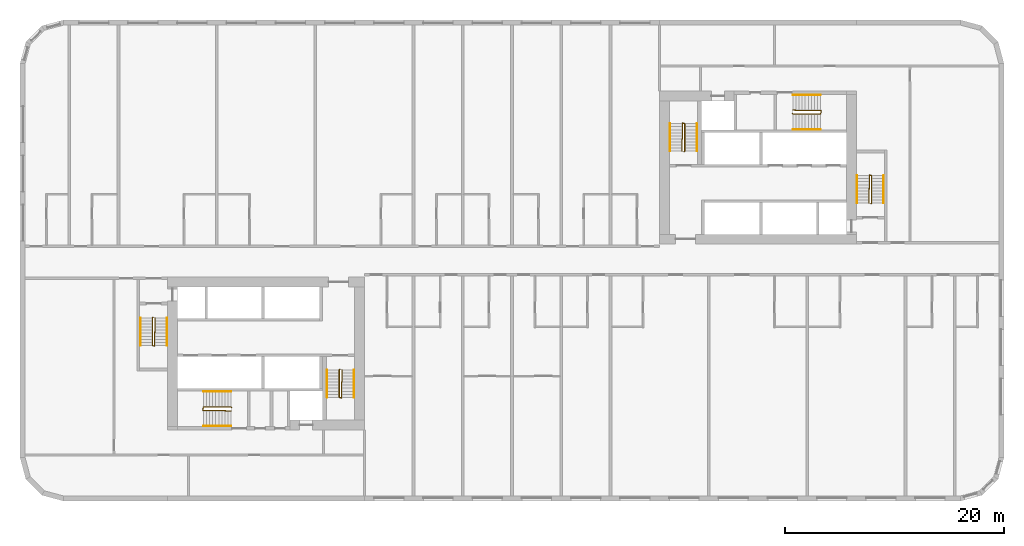
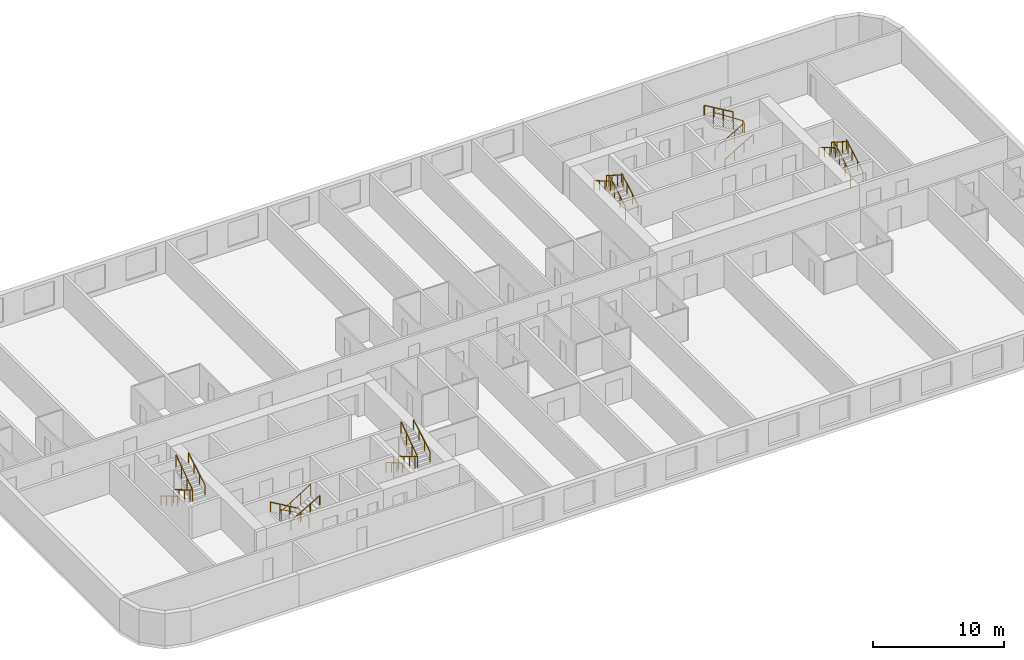
# One storey, part 12 of 12: 18 railings.
"""IFC4 building model written with IfcOpenShell, lengths in metres."""

from ifc_helpers import new_model, si_unit, direction, frame, origin, origin_2d, place, context, subcontext, project, spatial, circle, extrude, material, type_object, element, save


model = new_model("IFC4")

# Units and contexts
model_context = context("Model", 3, precision=1e-05, world=origin(), true_north=direction((0.0, 1.0)))
body_context = subcontext(model_context, "Body", "Model", "MODEL_VIEW")
ifc_project = project(units=[si_unit("LENGTHUNIT", "METRE"), si_unit("AREAUNIT", "SQUARE_METRE"), si_unit("VOLUMEUNIT", "CUBIC_METRE"), si_unit("PLANEANGLEUNIT", "RADIAN"), si_unit("MASSUNIT", "GRAM", prefix="KILO")], contexts=[model_context])

# Site, building, storey
site_placement = place(None, origin())
site = spatial("IfcSite", under=ifc_project, at=site_placement, CompositionType="ELEMENT")
building_placement = place(site_placement, origin())
building = spatial("IfcBuilding", under=site, at=building_placement, Name="Kajstack Hotel Tower", CompositionType="ELEMENT")
storey_placement = place(building_placement, frame((0.0, 0.0, 96.300048828125)))
storey = spatial("IfcBuildingStorey", under=building, at=storey_placement, Name="L20", CompositionType="ELEMENT", Elevation=96.300048828125)

# Railings
ifc_material = material(Name="Steel S355J2", Category="steel")
railing_type_1 = type_object("IfcRailingType", Name="Stair guard 1100", PredefinedType="GUARDRAIL", material=ifc_material)
railing_1_placement = place(storey_placement, frame((-32.85009765625, -5.199951171875, 0.0)))
element("IfcRailing", 1, at=railing_1_placement, inside=storey, type_object=railing_type_1, Name="L20 W1 stair guard 1", PredefinedType="GUARDRAIL", context=body_context, shape_type="SweptSolid", body=[
    extrude(circle(Radius=0.02392578125, at=origin_2d()), frame((0.0, 0.0, 1.076171875), z_axis=(-0.277450376394, -0.278810427259, 0.919394384522), x_axis=(0.708833529934, -0.705375805398, 0.0)), (0.0, 0.0, 1.0), 0.179443359375),
    extrude(circle(Radius=0.02392578125, at=origin_2d()), frame((-0.0498046875, -0.050048828125, 1.2412109375), z_axis=(0.0, -0.861560626758, 0.507654692109), x_axis=(1.0, 0.0, 0.0)), (0.0, 0.0, 1.0), 2.925048828125),
    extrude(circle(Radius=0.02392578125, at=origin_2d()), frame((-0.0498046875, -2.570068359375, 2.72607421875), z_axis=(0.970072785993, -0.242814311512, 0.0), x_axis=(0.242814311512, 0.970072785993, 0.0)), (0.0, 0.0, 1.0), 0.2060546875),
    extrude(circle(Radius=0.02392578125, at=origin_2d()), frame((0.150146484375, -2.6201171875, 2.72607421875), z_axis=(0.016384601254, 0.84136925563, 0.540212292087), x_axis=(-0.999810440751, 0.019470042781, 0.0)), (0.0, 0.0, 1.0), 3.0546875),
    extrude(circle(Radius=0.02099609375, at=origin_2d()), origin(), (0.0, 0.0, 1.0), 1.052001953125),
    extrude(circle(Radius=0.02099609375, at=origin_2d()), frame((-0.0498046875, -0.050048828125, 0.1650390625)), (0.0, 0.0, 1.0), 1.052001953125),
    extrude(circle(Radius=0.02099609375, at=origin_2d()), frame((-0.0498046875, -0.89013671875, 0.659912109375)), (0.0, 0.0, 1.0), 1.052001953125),
    extrude(circle(Radius=0.02099609375, at=origin_2d()), frame((-0.0498046875, -1.72998046875, 1.155029296875)), (0.0, 0.0, 1.0), 1.052001953125),
    extrude(circle(Radius=0.02099609375, at=origin_2d()), frame((-0.0498046875, -2.570068359375, 1.64990234375)), (0.0, 0.0, 1.0), 1.052001953125),
    extrude(circle(Radius=0.02099609375, at=origin_2d()), frame((0.150146484375, -2.6201171875, 1.64990234375)), (0.0, 0.0, 1.0), 1.052001953125),
    extrude(circle(Radius=0.02099609375, at=origin_2d()), frame((0.166748046875, -1.763427734375, 2.199951171875)), (0.0, 0.0, 1.0), 1.052001953125),
    extrude(circle(Radius=0.02099609375, at=origin_2d()), frame((0.18359375, -0.90673828125, 2.75)), (0.0, 0.0, 1.0), 1.052001953125),
    extrude(circle(Radius=0.02099609375, at=origin_2d()), frame((0.2001953125, -0.050048828125, 3.300048828125)), (0.0, 0.0, 1.0), 1.052001953125),
])
railing_2_placement = place(storey_placement, frame((-15.75, -9.949951171875, 0.0)))
element("IfcRailing", 2, at=railing_2_placement, inside=storey, type_object=railing_type_1, Name="L20 W2 stair guard 1", PredefinedType="GUARDRAIL", context=body_context, shape_type="SweptSolid", body=[
    extrude(circle(Radius=0.02392578125, at=origin_2d()), frame((0.0, 0.0, 1.076171875), z_axis=(-0.278705021027, -0.278705021027, 0.919046801044), x_axis=(0.707106781187, -0.707106781187, 0.0)), (0.0, 0.0, 1.0), 0.1796875),
    extrude(circle(Radius=0.02392578125, at=origin_2d()), frame((-0.050048828125, -0.050048828125, 1.2412109375), z_axis=(0.0, -0.861560626758, 0.507654692109), x_axis=(1.0, 0.0, 0.0)), (0.0, 0.0, 1.0), 2.925048828125),
    extrude(circle(Radius=0.02392578125, at=origin_2d()), frame((-0.050048828125, -2.570068359375, 2.72607421875), z_axis=(0.970072785993, -0.242814311512, 0.0), x_axis=(0.242814311512, 0.970072785993, 0.0)), (0.0, 0.0, 1.0), 0.2060546875),
    extrude(circle(Radius=0.02392578125, at=origin_2d()), frame((0.14990234375, -2.6201171875, 2.72607421875), z_axis=(0.016384601254, 0.84136925563, 0.540212292087), x_axis=(-0.999810440751, 0.019470042781, 0.0)), (0.0, 0.0, 1.0), 3.0546875),
    extrude(circle(Radius=0.02099609375, at=origin_2d()), origin(), (0.0, 0.0, 1.0), 1.052001953125),
    extrude(circle(Radius=0.02099609375, at=origin_2d()), frame((-0.050048828125, -0.050048828125, 0.1650390625)), (0.0, 0.0, 1.0), 1.052001953125),
    extrude(circle(Radius=0.02099609375, at=origin_2d()), frame((-0.050048828125, -0.89013671875, 0.659912109375)), (0.0, 0.0, 1.0), 1.052001953125),
    extrude(circle(Radius=0.02099609375, at=origin_2d()), frame((-0.050048828125, -1.72998046875, 1.155029296875)), (0.0, 0.0, 1.0), 1.052001953125),
    extrude(circle(Radius=0.02099609375, at=origin_2d()), frame((-0.050048828125, -2.570068359375, 1.64990234375)), (0.0, 0.0, 1.0), 1.052001953125),
    extrude(circle(Radius=0.02099609375, at=origin_2d()), frame((0.14990234375, -2.6201171875, 1.64990234375)), (0.0, 0.0, 1.0), 1.052001953125),
    extrude(circle(Radius=0.02099609375, at=origin_2d()), frame((0.16650390625, -1.763427734375, 2.199951171875)), (0.0, 0.0, 1.0), 1.052001953125),
    extrude(circle(Radius=0.02099609375, at=origin_2d()), frame((0.183349609375, -0.90673828125, 2.75)), (0.0, 0.0, 1.0), 1.052001953125),
    extrude(circle(Radius=0.02099609375, at=origin_2d()), frame((0.199951171875, -0.050048828125, 3.300048828125)), (0.0, 0.0, 1.0), 1.052001953125),
])
railing_3_placement = place(storey_placement, frame((-25.64990234375, -13.449951171875, 0.0)))
element("IfcRailing", 3, at=railing_3_placement, inside=storey, type_object=railing_type_1, Name="L20 W3 stair guard 1", PredefinedType="GUARDRAIL", context=body_context, shape_type="SweptSolid", body=[
    extrude(circle(Radius=0.02392578125, at=origin_2d()), frame((0.0, 0.0, 1.076171875), z_axis=(-0.278705021027, 0.278705021027, 0.919046801044), x_axis=(-0.707106781187, -0.707106781187, 0.0)), (0.0, 0.0, 1.0), 0.1796875),
    extrude(circle(Radius=0.02392578125, at=origin_2d()), frame((-0.050048828125, 0.050048828125, 1.2412109375), z_axis=(-0.861560626758, 0.0, 0.507654692109), x_axis=(0.0, -1.0, 0.0)), (0.0, 0.0, 1.0), 2.925048828125),
    extrude(circle(Radius=0.02392578125, at=origin_2d()), frame((-2.570068359375, 0.050048828125, 2.72607421875), z_axis=(-0.164529134168, -0.986372223864, 0.0), x_axis=(0.986372223864, -0.164529134168, 0.0)), (0.0, 0.0, 1.0), 0.30419921875),
    extrude(circle(Radius=0.02392578125, at=origin_2d()), frame((-2.6201171875, -0.25, 2.72607421875), z_axis=(0.84136925563, -0.016384601254, 0.540212292087), x_axis=(0.019470042781, 0.999810440751, 0.0)), (0.0, 0.0, 1.0), 3.0546875),
    extrude(circle(Radius=0.02099609375, at=origin_2d()), origin(), (0.0, 0.0, 1.0), 1.052001953125),
    extrude(circle(Radius=0.02099609375, at=origin_2d()), frame((-0.050048828125, 0.050048828125, 0.1650390625)), (0.0, 0.0, 1.0), 1.052001953125),
    extrude(circle(Radius=0.02099609375, at=origin_2d()), frame((-0.89013671875, 0.050048828125, 0.659912109375)), (0.0, 0.0, 1.0), 1.052001953125),
    extrude(circle(Radius=0.02099609375, at=origin_2d()), frame((-1.72998046875, 0.050048828125, 1.155029296875)), (0.0, 0.0, 1.0), 1.052001953125),
    extrude(circle(Radius=0.02099609375, at=origin_2d()), frame((-2.570068359375, 0.050048828125, 1.64990234375)), (0.0, 0.0, 1.0), 1.052001953125),
    extrude(circle(Radius=0.02099609375, at=origin_2d()), frame((-2.6201171875, -0.25, 1.64990234375)), (0.0, 0.0, 1.0), 1.052001953125),
    extrude(circle(Radius=0.02099609375, at=origin_2d()), frame((-1.763427734375, -0.2666015625, 2.199951171875)), (0.0, 0.0, 1.0), 1.052001953125),
    extrude(circle(Radius=0.02099609375, at=origin_2d()), frame((-0.90673828125, -0.283447265625, 2.75)), (0.0, 0.0, 1.0), 1.052001953125),
    extrude(circle(Radius=0.02099609375, at=origin_2d()), frame((-0.050048828125, -0.300048828125, 3.300048828125)), (0.0, 0.0, 1.0), 1.052001953125),
])
railing_4_placement = place(storey_placement, frame((32.85009765625, 5.199951171875, 0.0)))
element("IfcRailing", 4, at=railing_4_placement, inside=storey, type_object=railing_type_1, Name="L20 E1 stair guard 1", PredefinedType="GUARDRAIL", context=body_context, shape_type="SweptSolid", body=[
    extrude(circle(Radius=0.02392578125, at=origin_2d()), frame((0.0, 0.0, 1.076171875), z_axis=(0.277450376394, 0.278810427259, 0.919394384522), x_axis=(-0.708833529934, 0.705375805398, 0.0)), (0.0, 0.0, 1.0), 0.179443359375),
    extrude(circle(Radius=0.02392578125, at=origin_2d()), frame((0.0498046875, 0.050048828125, 1.2412109375), z_axis=(0.0, 0.861560626758, 0.507654692109), x_axis=(-1.0, 0.0, 0.0)), (0.0, 0.0, 1.0), 2.925048828125),
    extrude(circle(Radius=0.02392578125, at=origin_2d()), frame((0.0498046875, 2.570068359375, 2.72607421875), z_axis=(-0.970072785993, 0.242814311512, 0.0), x_axis=(-0.242814311512, -0.970072785993, 0.0)), (0.0, 0.0, 1.0), 0.2060546875),
    extrude(circle(Radius=0.02392578125, at=origin_2d()), frame((-0.150146484375, 2.6201171875, 2.72607421875), z_axis=(-0.016384601254, -0.84136925563, 0.540212292087), x_axis=(0.999810440751, -0.019470042781, 0.0)), (0.0, 0.0, 1.0), 3.0546875),
    extrude(circle(Radius=0.02099609375, at=origin_2d()), origin(), (0.0, 0.0, 1.0), 1.052001953125),
    extrude(circle(Radius=0.02099609375, at=origin_2d()), frame((0.0498046875, 0.050048828125, 0.1650390625)), (0.0, 0.0, 1.0), 1.052001953125),
    extrude(circle(Radius=0.02099609375, at=origin_2d()), frame((0.0498046875, 0.89013671875, 0.659912109375)), (0.0, 0.0, 1.0), 1.052001953125),
    extrude(circle(Radius=0.02099609375, at=origin_2d()), frame((0.0498046875, 1.72998046875, 1.155029296875)), (0.0, 0.0, 1.0), 1.052001953125),
    extrude(circle(Radius=0.02099609375, at=origin_2d()), frame((0.0498046875, 2.570068359375, 1.64990234375)), (0.0, 0.0, 1.0), 1.052001953125),
    extrude(circle(Radius=0.02099609375, at=origin_2d()), frame((-0.150146484375, 2.6201171875, 1.64990234375)), (0.0, 0.0, 1.0), 1.052001953125),
    extrude(circle(Radius=0.02099609375, at=origin_2d()), frame((-0.166748046875, 1.763427734375, 2.199951171875)), (0.0, 0.0, 1.0), 1.052001953125),
    extrude(circle(Radius=0.02099609375, at=origin_2d()), frame((-0.18359375, 0.90673828125, 2.75)), (0.0, 0.0, 1.0), 1.052001953125),
    extrude(circle(Radius=0.02099609375, at=origin_2d()), frame((-0.2001953125, 0.050048828125, 3.300048828125)), (0.0, 0.0, 1.0), 1.052001953125),
])
railing_5_placement = place(storey_placement, frame((15.75, 9.949951171875, 0.0)))
element("IfcRailing", 5, at=railing_5_placement, inside=storey, type_object=railing_type_1, Name="L20 E2 stair guard 1", PredefinedType="GUARDRAIL", context=body_context, shape_type="SweptSolid", body=[
    extrude(circle(Radius=0.02392578125, at=origin_2d()), frame((0.0, 0.0, 1.076171875), z_axis=(0.278705021027, 0.278705021027, 0.919046801044), x_axis=(-0.707106781187, 0.707106781187, 0.0)), (0.0, 0.0, 1.0), 0.1796875),
    extrude(circle(Radius=0.02392578125, at=origin_2d()), frame((0.050048828125, 0.050048828125, 1.2412109375), z_axis=(0.0, 0.861560626758, 0.507654692109), x_axis=(-1.0, 0.0, 0.0)), (0.0, 0.0, 1.0), 2.925048828125),
    extrude(circle(Radius=0.02392578125, at=origin_2d()), frame((0.050048828125, 2.570068359375, 2.72607421875), z_axis=(-0.970072785993, 0.242814311512, 0.0), x_axis=(-0.242814311512, -0.970072785993, 0.0)), (0.0, 0.0, 1.0), 0.2060546875),
    extrude(circle(Radius=0.02392578125, at=origin_2d()), frame((-0.14990234375, 2.6201171875, 2.72607421875), z_axis=(-0.016384601254, -0.84136925563, 0.540212292087), x_axis=(0.999810440751, -0.019470042781, 0.0)), (0.0, 0.0, 1.0), 3.0546875),
    extrude(circle(Radius=0.02099609375, at=origin_2d()), origin(), (0.0, 0.0, 1.0), 1.052001953125),
    extrude(circle(Radius=0.02099609375, at=origin_2d()), frame((0.050048828125, 0.050048828125, 0.1650390625)), (0.0, 0.0, 1.0), 1.052001953125),
    extrude(circle(Radius=0.02099609375, at=origin_2d()), frame((0.050048828125, 0.89013671875, 0.659912109375)), (0.0, 0.0, 1.0), 1.052001953125),
    extrude(circle(Radius=0.02099609375, at=origin_2d()), frame((0.050048828125, 1.72998046875, 1.155029296875)), (0.0, 0.0, 1.0), 1.052001953125),
    extrude(circle(Radius=0.02099609375, at=origin_2d()), frame((0.050048828125, 2.570068359375, 1.64990234375)), (0.0, 0.0, 1.0), 1.052001953125),
    extrude(circle(Radius=0.02099609375, at=origin_2d()), frame((-0.14990234375, 2.6201171875, 1.64990234375)), (0.0, 0.0, 1.0), 1.052001953125),
    extrude(circle(Radius=0.02099609375, at=origin_2d()), frame((-0.16650390625, 1.763427734375, 2.199951171875)), (0.0, 0.0, 1.0), 1.052001953125),
    extrude(circle(Radius=0.02099609375, at=origin_2d()), frame((-0.183349609375, 0.90673828125, 2.75)), (0.0, 0.0, 1.0), 1.052001953125),
    extrude(circle(Radius=0.02099609375, at=origin_2d()), frame((-0.199951171875, 0.050048828125, 3.300048828125)), (0.0, 0.0, 1.0), 1.052001953125),
])
railing_6_placement = place(storey_placement, frame((25.64990234375, 13.449951171875, 0.0)))
element("IfcRailing", 6, at=railing_6_placement, inside=storey, type_object=railing_type_1, Name="L20 E3 stair guard 1", PredefinedType="GUARDRAIL", context=body_context, shape_type="SweptSolid", body=[
    extrude(circle(Radius=0.02392578125, at=origin_2d()), frame((0.0, 0.0, 1.076171875), z_axis=(0.278705021027, -0.278705021027, 0.919046801044), x_axis=(0.707106781187, 0.707106781187, 0.0)), (0.0, 0.0, 1.0), 0.1796875),
    extrude(circle(Radius=0.02392578125, at=origin_2d()), frame((0.050048828125, -0.050048828125, 1.2412109375), z_axis=(0.861560626758, 0.0, 0.507654692109), x_axis=(0.0, 1.0, 0.0)), (0.0, 0.0, 1.0), 2.925048828125),
    extrude(circle(Radius=0.02392578125, at=origin_2d()), frame((2.570068359375, -0.050048828125, 2.72607421875), z_axis=(0.164529134168, 0.986372223864, 0.0), x_axis=(-0.986372223864, 0.164529134168, 0.0)), (0.0, 0.0, 1.0), 0.30419921875),
    extrude(circle(Radius=0.02392578125, at=origin_2d()), frame((2.6201171875, 0.25, 2.72607421875), z_axis=(-0.84136925563, 0.016384601254, 0.540212292087), x_axis=(-0.019470042781, -0.999810440751, 0.0)), (0.0, 0.0, 1.0), 3.0546875),
    extrude(circle(Radius=0.02099609375, at=origin_2d()), origin(), (0.0, 0.0, 1.0), 1.052001953125),
    extrude(circle(Radius=0.02099609375, at=origin_2d()), frame((0.050048828125, -0.050048828125, 0.1650390625)), (0.0, 0.0, 1.0), 1.052001953125),
    extrude(circle(Radius=0.02099609375, at=origin_2d()), frame((0.89013671875, -0.050048828125, 0.659912109375)), (0.0, 0.0, 1.0), 1.052001953125),
    extrude(circle(Radius=0.02099609375, at=origin_2d()), frame((1.72998046875, -0.050048828125, 1.155029296875)), (0.0, 0.0, 1.0), 1.052001953125),
    extrude(circle(Radius=0.02099609375, at=origin_2d()), frame((2.570068359375, -0.050048828125, 1.64990234375)), (0.0, 0.0, 1.0), 1.052001953125),
    extrude(circle(Radius=0.02099609375, at=origin_2d()), frame((2.6201171875, 0.25, 1.64990234375)), (0.0, 0.0, 1.0), 1.052001953125),
    extrude(circle(Radius=0.02099609375, at=origin_2d()), frame((1.763427734375, 0.2666015625, 2.199951171875)), (0.0, 0.0, 1.0), 1.052001953125),
    extrude(circle(Radius=0.02099609375, at=origin_2d()), frame((0.90673828125, 0.283447265625, 2.75)), (0.0, 0.0, 1.0), 1.052001953125),
    extrude(circle(Radius=0.02099609375, at=origin_2d()), frame((0.050048828125, 0.300048828125, 3.300048828125)), (0.0, 0.0, 1.0), 1.052001953125),
])
railing_type_2 = type_object("IfcRailingType", Name="Stair handrail 900", PredefinedType="HANDRAIL", material=ifc_material)
railing_7_placement = place(storey_placement, frame((-34.0, -5.25, 0.1650390625)))
element("IfcRailing", 7, at=railing_7_placement, inside=storey, type_object=railing_type_2, Name="L20 W1 stair handrail 1", PredefinedType="HANDRAIL", context=body_context, shape_type="SweptSolid", body=[
    extrude(circle(Radius=0.02392578125, at=origin_2d()), frame((0.0, 0.0, 0.8759765625), z_axis=(0.0, -0.861560626758, 0.507654692109), x_axis=(1.0, 0.0, 0.0)), (0.0, 0.0, 1.0), 2.925048828125),
    extrude(circle(Radius=0.02099609375, at=origin_2d()), origin(), (0.0, 0.0, 1.0), 0.851806640625),
    extrude(circle(Radius=0.02099609375, at=origin_2d()), frame((0.0, -0.840087890625, 0.494873046875)), (0.0, 0.0, 1.0), 0.851806640625),
    extrude(circle(Radius=0.02099609375, at=origin_2d()), frame((0.0, -1.679931640625, 0.989990234375)), (0.0, 0.0, 1.0), 0.851806640625),
    extrude(circle(Radius=0.02099609375, at=origin_2d()), frame((0.0, -2.52001953125, 1.48486328125)), (0.0, 0.0, 1.0), 0.851806640625),
])
railing_8_placement = place(storey_placement, frame((-31.550048828125, -7.77001953125, 1.81494140625)))
element("IfcRailing", 8, at=railing_8_placement, inside=storey, type_object=railing_type_2, Name="L20 W1 stair handrail 2", PredefinedType="HANDRAIL", context=body_context, shape_type="SweptSolid", body=[
    extrude(circle(Radius=0.02392578125, at=origin_2d()), frame((0.0, 0.0, 0.8759765625), z_axis=(0.0, 0.86152411907, 0.507716645641), x_axis=(-1.0, 0.0, 0.0)), (0.0, 0.0, 1.0), 2.925048828125),
    extrude(circle(Radius=0.02099609375, at=origin_2d()), origin(), (0.0, 0.0, 1.0), 0.851806640625),
    extrude(circle(Radius=0.02099609375, at=origin_2d()), frame((0.0, 0.840087890625, 0.4951171875)), (0.0, 0.0, 1.0), 0.851806640625),
    extrude(circle(Radius=0.02099609375, at=origin_2d()), frame((0.0, 1.679931640625, 0.989990234375)), (0.0, 0.0, 1.0), 0.851806640625),
    extrude(circle(Radius=0.02099609375, at=origin_2d()), frame((0.0, 2.52001953125, 1.485107421875)), (0.0, 0.0, 1.0), 0.851806640625),
])
railing_9_placement = place(storey_placement, frame((-16.89990234375, -10.0, 0.1650390625)))
element("IfcRailing", 9, at=railing_9_placement, inside=storey, type_object=railing_type_2, Name="L20 W2 stair handrail 1", PredefinedType="HANDRAIL", context=body_context, shape_type="SweptSolid", body=[
    extrude(circle(Radius=0.02392578125, at=origin_2d()), frame((0.0, 0.0, 0.8759765625), z_axis=(0.0, -0.861560626758, 0.507654692109), x_axis=(1.0, 0.0, 0.0)), (0.0, 0.0, 1.0), 2.925048828125),
    extrude(circle(Radius=0.02099609375, at=origin_2d()), origin(), (0.0, 0.0, 1.0), 0.851806640625),
    extrude(circle(Radius=0.02099609375, at=origin_2d()), frame((0.0, -0.840087890625, 0.494873046875)), (0.0, 0.0, 1.0), 0.851806640625),
    extrude(circle(Radius=0.02099609375, at=origin_2d()), frame((0.0, -1.679931640625, 0.989990234375)), (0.0, 0.0, 1.0), 0.851806640625),
    extrude(circle(Radius=0.02099609375, at=origin_2d()), frame((0.0, -2.52001953125, 1.48486328125)), (0.0, 0.0, 1.0), 0.851806640625),
])
railing_10_placement = place(storey_placement, frame((-14.449951171875, -12.52001953125, 1.81494140625)))
element("IfcRailing", 10, at=railing_10_placement, inside=storey, type_object=railing_type_2, Name="L20 W2 stair handrail 2", PredefinedType="HANDRAIL", context=body_context, shape_type="SweptSolid", body=[
    extrude(circle(Radius=0.02392578125, at=origin_2d()), frame((0.0, 0.0, 0.8759765625), z_axis=(0.0, 0.86152411907, 0.507716645641), x_axis=(-1.0, 0.0, 0.0)), (0.0, 0.0, 1.0), 2.925048828125),
    extrude(circle(Radius=0.02099609375, at=origin_2d()), origin(), (0.0, 0.0, 1.0), 0.851806640625),
    extrude(circle(Radius=0.02099609375, at=origin_2d()), frame((0.0, 0.840087890625, 0.4951171875)), (0.0, 0.0, 1.0), 0.851806640625),
    extrude(circle(Radius=0.02099609375, at=origin_2d()), frame((0.0, 1.679931640625, 0.989990234375)), (0.0, 0.0, 1.0), 0.851806640625),
    extrude(circle(Radius=0.02099609375, at=origin_2d()), frame((0.0, 2.52001953125, 1.485107421875)), (0.0, 0.0, 1.0), 0.851806640625),
])
railing_11_placement = place(storey_placement, frame((-25.699951171875, -12.0, 0.1650390625)))
element("IfcRailing", 11, at=railing_11_placement, inside=storey, type_object=railing_type_2, Name="L20 W3 stair handrail 1", PredefinedType="HANDRAIL", context=body_context, shape_type="SweptSolid", body=[
    extrude(circle(Radius=0.02392578125, at=origin_2d()), frame((0.0, 0.0, 0.8759765625), z_axis=(-0.861560626758, 0.0, 0.507654692109), x_axis=(0.0, -1.0, 0.0)), (0.0, 0.0, 1.0), 2.925048828125),
    extrude(circle(Radius=0.02099609375, at=origin_2d()), origin(), (0.0, 0.0, 1.0), 0.851806640625),
    extrude(circle(Radius=0.02099609375, at=origin_2d()), frame((-0.840087890625, 0.0, 0.494873046875)), (0.0, 0.0, 1.0), 0.851806640625),
    extrude(circle(Radius=0.02099609375, at=origin_2d()), frame((-1.679931640625, 0.0, 0.989990234375)), (0.0, 0.0, 1.0), 0.851806640625),
    extrude(circle(Radius=0.02099609375, at=origin_2d()), frame((-2.52001953125, 0.0, 1.48486328125)), (0.0, 0.0, 1.0), 0.851806640625),
])
railing_12_placement = place(storey_placement, frame((-28.219970703125, -15.14990234375, 1.81494140625)))
element("IfcRailing", 12, at=railing_12_placement, inside=storey, type_object=railing_type_2, Name="L20 W3 stair handrail 2", PredefinedType="HANDRAIL", context=body_context, shape_type="SweptSolid", body=[
    extrude(circle(Radius=0.02392578125, at=origin_2d()), frame((0.0, 0.0, 0.8759765625), z_axis=(0.86152411907, 0.0, 0.507716645641), x_axis=(0.0, 1.0, 0.0)), (0.0, 0.0, 1.0), 2.925048828125),
    extrude(circle(Radius=0.02099609375, at=origin_2d()), origin(), (0.0, 0.0, 1.0), 0.851806640625),
    extrude(circle(Radius=0.02099609375, at=origin_2d()), frame((0.840087890625, 0.0, 0.4951171875)), (0.0, 0.0, 1.0), 0.851806640625),
    extrude(circle(Radius=0.02099609375, at=origin_2d()), frame((1.679931640625, 0.0, 0.989990234375)), (0.0, 0.0, 1.0), 0.851806640625),
    extrude(circle(Radius=0.02099609375, at=origin_2d()), frame((2.52001953125, 0.0, 1.485107421875)), (0.0, 0.0, 1.0), 0.851806640625),
])
railing_13_placement = place(storey_placement, frame((34.0, 5.25, 0.1650390625)))
element("IfcRailing", 13, at=railing_13_placement, inside=storey, type_object=railing_type_2, Name="L20 E1 stair handrail 1", PredefinedType="HANDRAIL", context=body_context, shape_type="SweptSolid", body=[
    extrude(circle(Radius=0.02392578125, at=origin_2d()), frame((0.0, 0.0, 0.8759765625), z_axis=(0.0, 0.861560626758, 0.507654692109), x_axis=(-1.0, 0.0, 0.0)), (0.0, 0.0, 1.0), 2.925048828125),
    extrude(circle(Radius=0.02099609375, at=origin_2d()), origin(), (0.0, 0.0, 1.0), 0.851806640625),
    extrude(circle(Radius=0.02099609375, at=origin_2d()), frame((0.0, 0.840087890625, 0.494873046875)), (0.0, 0.0, 1.0), 0.851806640625),
    extrude(circle(Radius=0.02099609375, at=origin_2d()), frame((0.0, 1.679931640625, 0.989990234375)), (0.0, 0.0, 1.0), 0.851806640625),
    extrude(circle(Radius=0.02099609375, at=origin_2d()), frame((0.0, 2.52001953125, 1.48486328125)), (0.0, 0.0, 1.0), 0.851806640625),
])
railing_14_placement = place(storey_placement, frame((31.550048828125, 7.77001953125, 1.81494140625)))
element("IfcRailing", 14, at=railing_14_placement, inside=storey, type_object=railing_type_2, Name="L20 E1 stair handrail 2", PredefinedType="HANDRAIL", context=body_context, shape_type="SweptSolid", body=[
    extrude(circle(Radius=0.02392578125, at=origin_2d()), frame((0.0, 0.0, 0.8759765625), z_axis=(0.0, -0.86152411907, 0.507716645641), x_axis=(1.0, 0.0, 0.0)), (0.0, 0.0, 1.0), 2.925048828125),
    extrude(circle(Radius=0.02099609375, at=origin_2d()), origin(), (0.0, 0.0, 1.0), 0.851806640625),
    extrude(circle(Radius=0.02099609375, at=origin_2d()), frame((0.0, -0.840087890625, 0.4951171875)), (0.0, 0.0, 1.0), 0.851806640625),
    extrude(circle(Radius=0.02099609375, at=origin_2d()), frame((0.0, -1.679931640625, 0.989990234375)), (0.0, 0.0, 1.0), 0.851806640625),
    extrude(circle(Radius=0.02099609375, at=origin_2d()), frame((0.0, -2.52001953125, 1.485107421875)), (0.0, 0.0, 1.0), 0.851806640625),
])
railing_15_placement = place(storey_placement, frame((16.89990234375, 10.0, 0.1650390625)))
element("IfcRailing", 15, at=railing_15_placement, inside=storey, type_object=railing_type_2, Name="L20 E2 stair handrail 1", PredefinedType="HANDRAIL", context=body_context, shape_type="SweptSolid", body=[
    extrude(circle(Radius=0.02392578125, at=origin_2d()), frame((0.0, 0.0, 0.8759765625), z_axis=(0.0, 0.861560626758, 0.507654692109), x_axis=(-1.0, 0.0, 0.0)), (0.0, 0.0, 1.0), 2.925048828125),
    extrude(circle(Radius=0.02099609375, at=origin_2d()), origin(), (0.0, 0.0, 1.0), 0.851806640625),
    extrude(circle(Radius=0.02099609375, at=origin_2d()), frame((0.0, 0.840087890625, 0.494873046875)), (0.0, 0.0, 1.0), 0.851806640625),
    extrude(circle(Radius=0.02099609375, at=origin_2d()), frame((0.0, 1.679931640625, 0.989990234375)), (0.0, 0.0, 1.0), 0.851806640625),
    extrude(circle(Radius=0.02099609375, at=origin_2d()), frame((0.0, 2.52001953125, 1.48486328125)), (0.0, 0.0, 1.0), 0.851806640625),
])
railing_16_placement = place(storey_placement, frame((14.449951171875, 12.52001953125, 1.81494140625)))
element("IfcRailing", 16, at=railing_16_placement, inside=storey, type_object=railing_type_2, Name="L20 E2 stair handrail 2", PredefinedType="HANDRAIL", context=body_context, shape_type="SweptSolid", body=[
    extrude(circle(Radius=0.02392578125, at=origin_2d()), frame((0.0, 0.0, 0.8759765625), z_axis=(0.0, -0.86152411907, 0.507716645641), x_axis=(1.0, 0.0, 0.0)), (0.0, 0.0, 1.0), 2.925048828125),
    extrude(circle(Radius=0.02099609375, at=origin_2d()), origin(), (0.0, 0.0, 1.0), 0.851806640625),
    extrude(circle(Radius=0.02099609375, at=origin_2d()), frame((0.0, -0.840087890625, 0.4951171875)), (0.0, 0.0, 1.0), 0.851806640625),
    extrude(circle(Radius=0.02099609375, at=origin_2d()), frame((0.0, -1.679931640625, 0.989990234375)), (0.0, 0.0, 1.0), 0.851806640625),
    extrude(circle(Radius=0.02099609375, at=origin_2d()), frame((0.0, -2.52001953125, 1.485107421875)), (0.0, 0.0, 1.0), 0.851806640625),
])
railing_17_placement = place(storey_placement, frame((25.699951171875, 12.0, 0.1650390625)))
element("IfcRailing", 17, at=railing_17_placement, inside=storey, type_object=railing_type_2, Name="L20 E3 stair handrail 1", PredefinedType="HANDRAIL", context=body_context, shape_type="SweptSolid", body=[
    extrude(circle(Radius=0.02392578125, at=origin_2d()), frame((0.0, 0.0, 0.8759765625), z_axis=(0.861560626758, 0.0, 0.507654692109), x_axis=(0.0, 1.0, 0.0)), (0.0, 0.0, 1.0), 2.925048828125),
    extrude(circle(Radius=0.02099609375, at=origin_2d()), origin(), (0.0, 0.0, 1.0), 0.851806640625),
    extrude(circle(Radius=0.02099609375, at=origin_2d()), frame((0.840087890625, 0.0, 0.494873046875)), (0.0, 0.0, 1.0), 0.851806640625),
    extrude(circle(Radius=0.02099609375, at=origin_2d()), frame((1.679931640625, 0.0, 0.989990234375)), (0.0, 0.0, 1.0), 0.851806640625),
    extrude(circle(Radius=0.02099609375, at=origin_2d()), frame((2.52001953125, 0.0, 1.48486328125)), (0.0, 0.0, 1.0), 0.851806640625),
])
railing_18_placement = place(storey_placement, frame((28.219970703125, 15.14990234375, 1.81494140625)))
element("IfcRailing", 18, at=railing_18_placement, inside=storey, type_object=railing_type_2, Name="L20 E3 stair handrail 2", PredefinedType="HANDRAIL", context=body_context, shape_type="SweptSolid", body=[
    extrude(circle(Radius=0.02392578125, at=origin_2d()), frame((0.0, 0.0, 0.8759765625), z_axis=(-0.86152411907, 0.0, 0.507716645641), x_axis=(0.0, -1.0, 0.0)), (0.0, 0.0, 1.0), 2.925048828125),
    extrude(circle(Radius=0.02099609375, at=origin_2d()), origin(), (0.0, 0.0, 1.0), 0.851806640625),
    extrude(circle(Radius=0.02099609375, at=origin_2d()), frame((-0.840087890625, 0.0, 0.4951171875)), (0.0, 0.0, 1.0), 0.851806640625),
    extrude(circle(Radius=0.02099609375, at=origin_2d()), frame((-1.679931640625, 0.0, 0.989990234375)), (0.0, 0.0, 1.0), 0.851806640625),
    extrude(circle(Radius=0.02099609375, at=origin_2d()), frame((-2.52001953125, 0.0, 1.485107421875)), (0.0, 0.0, 1.0), 0.851806640625),
])

save(model, "model.ifc")
